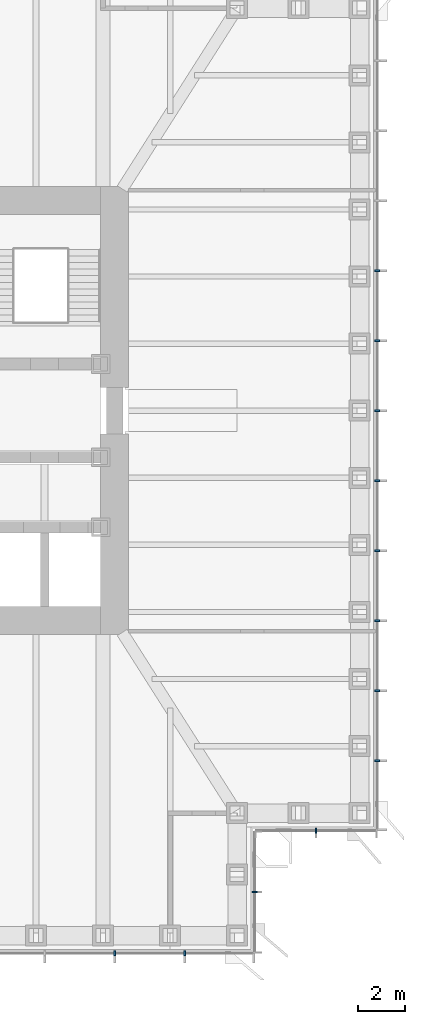
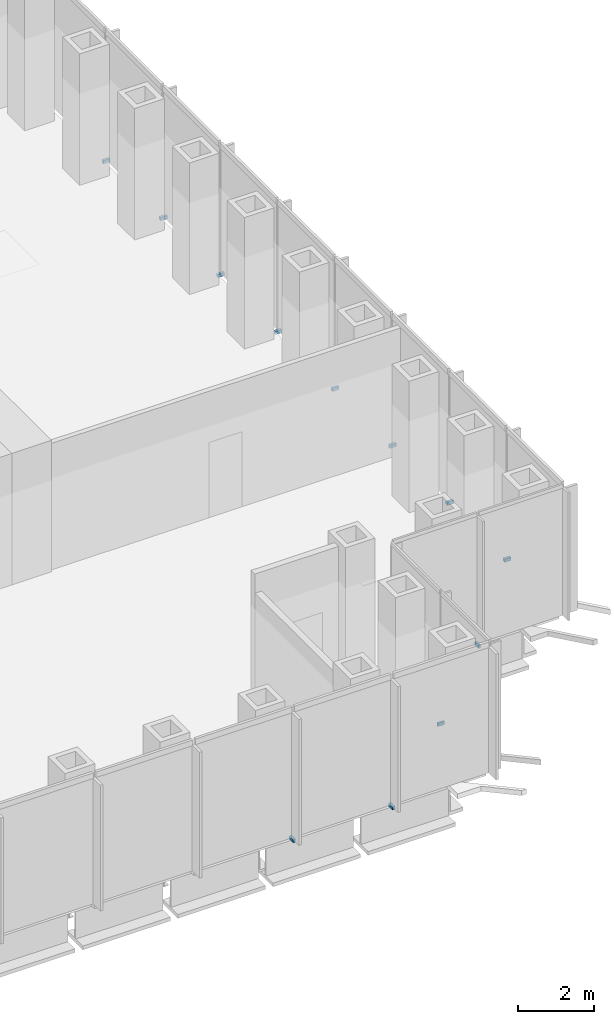
# One storey, part 13 of 17: 12 discrete accessories.
"""IFC4 building model written with IfcOpenShell, lengths in metres."""

import ifcopenshell
import ifcopenshell.guid

model = None  # the IFC model being written
_history = None  # IfcOwnerHistory: only IFC2X3 demands one
_inside = {}  # id of a spatial element -> (the spatial element, [elements in it])
_under = {}  # id of a project, library or spatial element -> (it, [spatial elements below it])
_declared = {}  # id of a project -> (the project, [libraries it declares])
_typed = {}  # id of a type object -> (the type object, [elements of that type])
_made_of = {}  # id of a material, layer set ... -> (it, [elements and type objects made of it])


def new_model(schema):
    """Start an empty IFC model of exactly this schema.

    Asked for "IFC4X3", IfcOpenShell would pick the latest addendum, in which some entities
    have other attributes; the version numbers below select the first issue.
    IFC2X3 requires an IfcOwnerHistory on every rooted entity: one is made here for all.
    """
    global model, _history
    if schema == "IFC4X3":
        model = ifcopenshell.file(schema_version=(4, 3, 0, 0))
    else:
        model = ifcopenshell.file(schema=schema)
    _inside.clear()
    _under.clear()
    _declared.clear()
    _typed.clear()
    _made_of.clear()
    _history = None
    if model.schema == "IFC2X3":
        org = make("IfcOrganization", Name="unknown")
        user = make(
            "IfcPersonAndOrganization",
            ThePerson=make("IfcPerson", FamilyName="unknown"),
            TheOrganization=org,
        )
        app = make(
            "IfcApplication",
            ApplicationDeveloper=org,
            Version="unknown",
            ApplicationFullName="unknown",
            ApplicationIdentifier="unknown",
        )
        _history = make(
            "IfcOwnerHistory",
            OwningUser=user,
            OwningApplication=app,
            ChangeAction="ADDED",
            CreationDate=0,
        )
    return model


def make(cls, **values):
    """One entity of the class cls with the attributes given. An attribute that is None is left unset."""
    return model.create_entity(
        cls, **{name: value for name, value in values.items() if value is not None}
    )


def rooted(cls, **values):
    """An entity with a GlobalId (a new one), such as an element, a storey or a relation."""
    return make(cls, GlobalId=ifcopenshell.guid.new(), OwnerHistory=_history, **values)


def si_unit(unit_type, name, prefix=None):
    """IfcSIUnit, for example si_unit("LENGTHUNIT", "METRE", prefix="MILLI")."""
    return make("IfcSIUnit", UnitType=unit_type, Prefix=prefix, Name=name)


def assignment(units):
    """IfcUnitAssignment: the units of a project."""
    return None if units is None else make("IfcUnitAssignment", Units=units)


def point(xyz):
    """IfcCartesianPoint."""
    return None if xyz is None else make("IfcCartesianPoint", Coordinates=xyz)


def direction(xyz):
    """IfcDirection."""
    return None if xyz is None else make("IfcDirection", DirectionRatios=xyz)


def frame(location, z_axis=None, x_axis=None):
    """IfcAxis2Placement3D, a coordinate frame: its origin and axes. An axis left out is left unset."""
    return make(
        "IfcAxis2Placement3D",
        Location=point(location),
        Axis=direction(z_axis),
        RefDirection=direction(x_axis),
    )


def frame_2d(location, x_axis=None):
    """IfcAxis2Placement2D, a coordinate frame in the plane: its origin and x axis."""
    return make(
        "IfcAxis2Placement2D", Location=point(location), RefDirection=direction(x_axis)
    )


def origin():
    """The frame at (0, 0, 0) with its axes left unset."""
    return frame((0.0, 0.0, 0.0))


def origin_2d():
    """The frame at (0, 0) in the plane with its x axis left unset."""
    return frame_2d((0.0, 0.0))


def place(relative_to, where):
    """IfcLocalPlacement: puts the frame where relative to a parent placement (None: the world)."""
    return make(
        "IfcLocalPlacement", PlacementRelTo=relative_to, RelativePlacement=where
    )


def context(
    kind, dimensions, precision=None, world=None, true_north=None, identifier=None
):
    """IfcGeometricRepresentationContext, for example the 3D "Model" context."""
    return make(
        "IfcGeometricRepresentationContext",
        ContextIdentifier=identifier,
        ContextType=kind,
        CoordinateSpaceDimension=dimensions,
        Precision=precision,
        WorldCoordinateSystem=world,
        TrueNorth=true_north,
    )


def subcontext(parent, identifier, kind, view, scale=None):
    """IfcGeometricRepresentationSubContext, for example "Body" below "Model"."""
    return make(
        "IfcGeometricRepresentationSubContext",
        ContextIdentifier=identifier,
        ContextType=kind,
        ParentContext=parent,
        TargetScale=scale,
        TargetView=view,
    )


def project(units=None, contexts=None):
    """IfcProject with its units and contexts."""
    return rooted(
        "IfcProject",
        Name="project",
        RepresentationContexts=contexts,
        UnitsInContext=assignment(units),
    )


def spatial(cls, under=None, at=None, **own):
    """A site, building, storey or space (cls), placed at a placement, below another one or the project."""
    s = rooted(cls, ObjectPlacement=at, **own)
    if under is not None:
        _under.setdefault(under.id(), (under, []))[1].append(s)
    return s


def profile(cls, at=None, kind="AREA", **sizes):
    """A parametric profile (cls). Its sizes go by their IFC names, for example OverallWidth=200.0."""
    return make(cls, ProfileType=kind, Position=at, **sizes)


def rectangle(**sizes):
    """IfcRectangleProfileDef."""
    return profile("IfcRectangleProfileDef", **sizes)


def extrude(swept, where, along, depth):
    """IfcExtrudedAreaSolid: the profile swept, set in the frame where, extruded along a direction by depth."""
    return make(
        "IfcExtrudedAreaSolid",
        SweptArea=swept,
        Position=where,
        ExtrudedDirection=direction(along),
        Depth=depth,
    )


def shape(context_of_items, identifier, shape_type, items):
    """IfcShapeRepresentation: the items that make up one representation, for example the "Body"."""
    return make(
        "IfcShapeRepresentation",
        ContextOfItems=context_of_items,
        RepresentationIdentifier=identifier,
        RepresentationType=shape_type,
        Items=items,
    )


def made_of(thing, what):
    """Note that an element or type object is made of a material, layer set ...; save() writes the relation."""
    if what is not None:
        _made_of.setdefault(what.id(), (what, []))[1].append(thing)
    return thing


def element(
    cls,
    number,
    at=None,
    inside=None,
    cuts=None,
    type_object=None,
    material=None,
    context=None,
    identifier="Body",
    shape_type=None,
    held_by="IfcProductDefinitionShape",
    body=None,
    shapes=None,
    **own,
):
    """One element of the class cls, such as IfcWall. Its Tag is "e" and its number.

    at: its placement. inside: the storey or other place that contains it. cuts: it is an
    opening in that element (IfcRelVoidsElement). A single representation is given by context,
    identifier, shape_type and body (its items); several are given by shapes. held_by: the class
    of the entity that holds the representations. save() writes the other relations.
    """
    e = rooted(cls, Tag="e%d" % number, ObjectPlacement=at, **own)
    if body is not None:
        shapes = [shape(context, identifier, shape_type, body)]
    if shapes is not None:
        e.Representation = make(held_by, Representations=shapes)
    if inside is not None:
        _inside.setdefault(inside.id(), (inside, []))[1].append(e)
    if cuts is not None:
        rooted(
            "IfcRelVoidsElement", RelatingBuildingElement=cuts, RelatedOpeningElement=e
        )
    if type_object is not None:
        _typed.setdefault(type_object.id(), (type_object, []))[1].append(e)
    return made_of(e, material)


def aggregate(whole, parts):
    """IfcRelAggregates: a whole, such as a stair, and the parts it consists of."""
    return rooted("IfcRelAggregates", RelatingObject=whole, RelatedObjects=parts)


def save(model, path):
    """Write the relations noted so far, then the file.

    IfcRelAggregates (storeys below a building ...), IfcRelContainedInSpatialStructure (elements
    in a storey), IfcRelDefinesByType, IfcRelAssociatesMaterial and IfcRelDeclares: one each for
    every whole, place, type object, material and project.
    """
    for whole, parts in _under.values():
        aggregate(whole, parts)
    for where, things in _inside.values():
        rooted(
            "IfcRelContainedInSpatialStructure",
            RelatedElements=things,
            RelatingStructure=where,
        )
    for kind, things in _typed.values():
        rooted("IfcRelDefinesByType", RelatedObjects=things, RelatingType=kind)
    for what, things in _made_of.values():
        rooted("IfcRelAssociatesMaterial", RelatedObjects=things, RelatingMaterial=what)
    for by, libraries in _declared.values():
        rooted("IfcRelDeclares", RelatingContext=by, RelatedDefinitions=libraries)
    model.write(path)


model = new_model("IFC4")

# Units and contexts
model_context = context("Model", 3, precision=1e-05, world=origin(), true_north=direction((0.0, 1.0)))
body_context = subcontext(model_context, "Body", "Model", "MODEL_VIEW")
ifc_project = project(units=[si_unit("LENGTHUNIT", "METRE"), si_unit("AREAUNIT", "SQUARE_METRE"), si_unit("VOLUMEUNIT", "CUBIC_METRE"), si_unit("PLANEANGLEUNIT", "RADIAN"), si_unit("MASSUNIT", "GRAM", prefix="KILO")], contexts=[model_context])

# Site, building, storey
site_placement = place(None, origin())
site = spatial("IfcSite", under=ifc_project, at=site_placement, CompositionType="ELEMENT")
building_placement = place(site_placement, origin())
building = spatial("IfcBuilding", under=site, at=building_placement, Name="Daluyong Arena Tower", CompositionType="ELEMENT")
storey_placement = place(building_placement, frame((0.0, 0.0, 112.300048828125)))
storey = spatial("IfcBuildingStorey", under=building, at=storey_placement, Name="L24", CompositionType="ELEMENT", Elevation=112.300048828125)

# Discrete accessories
for number, where, z_axis, x_axis, name in (
    (1, (68.0, 56.75, -0.10009765625), (0.0, 0.0, 1.0), (1.0, 0.0, 0.0), "curtain wall L24 S anchor bracket 11"),
    (2, (71.0, 56.75, -0.10009765625), (0.0, 0.0, 1.0), (1.0, 0.0, 0.0), "curtain wall L24 S anchor bracket 12"),
):
    element("IfcDiscreteAccessory", number, at=place(storey_placement, frame(where, z_axis=z_axis, x_axis=x_axis)), inside=storey, Name=name, PredefinedType="BRACKET", context=body_context, shape_type="SweptSolid", body=[
        extrude(rectangle(XDim=0.080078125, YDim=0.199951171875, at=origin_2d()), origin(), (0.0, 0.0, 1.0), 0.10009765625),
    ])
for number, where, z_axis, x_axis, name in (
    (3, (74.0, 59.375, -0.10009765625), (0.0, 0.0, 1.0), (0.0, 1.0, 0.0), "curtain wall L24 SE-E anchor bracket 2"),
    (4, (76.625, 62.0, -0.10009765625), (0.0, 0.0, 1.0), (1.0, 0.0, 0.0), "curtain wall L24 SE-S anchor bracket 2"),
):
    element("IfcDiscreteAccessory", number, at=place(storey_placement, frame(where, z_axis=z_axis, x_axis=x_axis)), inside=storey, Name=name, PredefinedType="BRACKET", context=body_context, shape_type="SweptSolid", body=[
        extrude(rectangle(XDim=0.06005859375, YDim=0.199951171875, at=origin_2d()), origin(), (0.0, 0.0, 1.0), 0.10009765625),
    ])
for number, where, z_axis, x_axis, name in (
    (5, (79.25, 65.0, -0.10009765625), (0.0, 0.0, 1.0), (0.0, 1.0, 0.0), "curtain wall L24 E anchor bracket 2"),
    (6, (79.25, 68.0, -0.10009765625), (0.0, 0.0, 1.0), (0.0, 1.0, 0.0), "curtain wall L24 E anchor bracket 3"),
    (7, (79.25, 71.0, -0.10009765625), (0.0, 0.0, 1.0), (0.0, 1.0, 0.0), "curtain wall L24 E anchor bracket 4"),
    (8, (79.25, 74.0, -0.10009765625), (0.0, 0.0, 1.0), (0.0, 1.0, 0.0), "curtain wall L24 E anchor bracket 5"),
    (9, (79.25, 77.0, -0.10009765625), (0.0, 0.0, 1.0), (0.0, 1.0, 0.0), "curtain wall L24 E anchor bracket 6"),
    (10, (79.25, 80.0, -0.10009765625), (0.0, 0.0, 1.0), (0.0, 1.0, 0.0), "curtain wall L24 E anchor bracket 7"),
    (11, (79.25, 83.0, -0.10009765625), (0.0, 0.0, 1.0), (0.0, 1.0, 0.0), "curtain wall L24 E anchor bracket 8"),
    (12, (79.25, 86.0, -0.10009765625), (0.0, 0.0, 1.0), (0.0, 1.0, 0.0), "curtain wall L24 E anchor bracket 9"),
):
    element("IfcDiscreteAccessory", number, at=place(storey_placement, frame(where, z_axis=z_axis, x_axis=x_axis)), inside=storey, Name=name, PredefinedType="BRACKET", context=body_context, shape_type="SweptSolid", body=[
        extrude(rectangle(XDim=0.080078125, YDim=0.199951171875, at=origin_2d()), origin(), (0.0, 0.0, 1.0), 0.10009765625),
    ])

save(model, "model.ifc")
